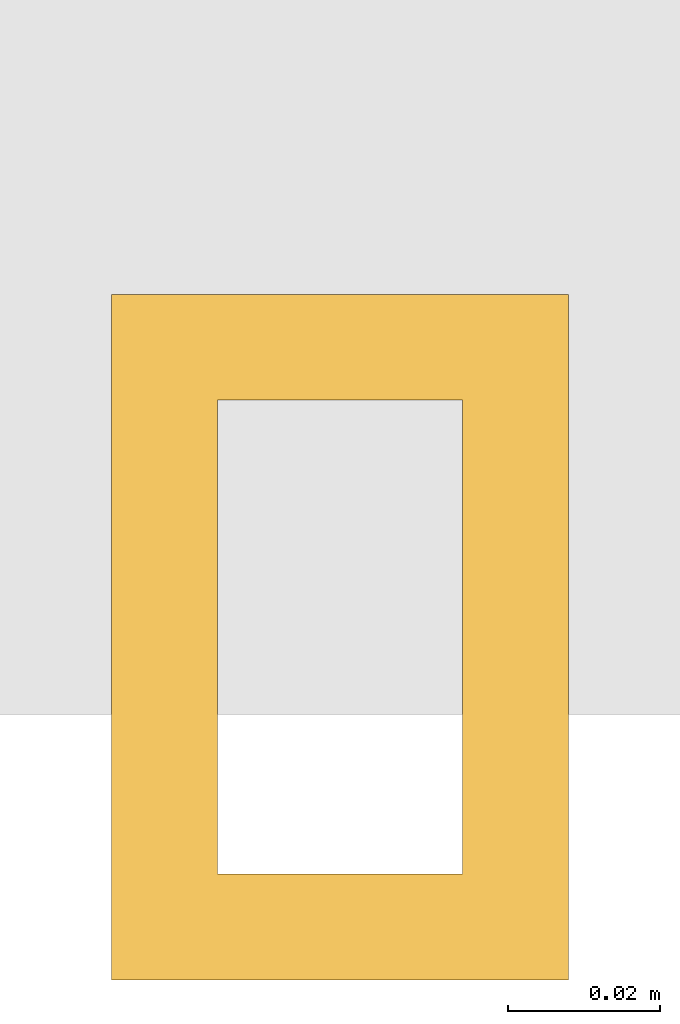
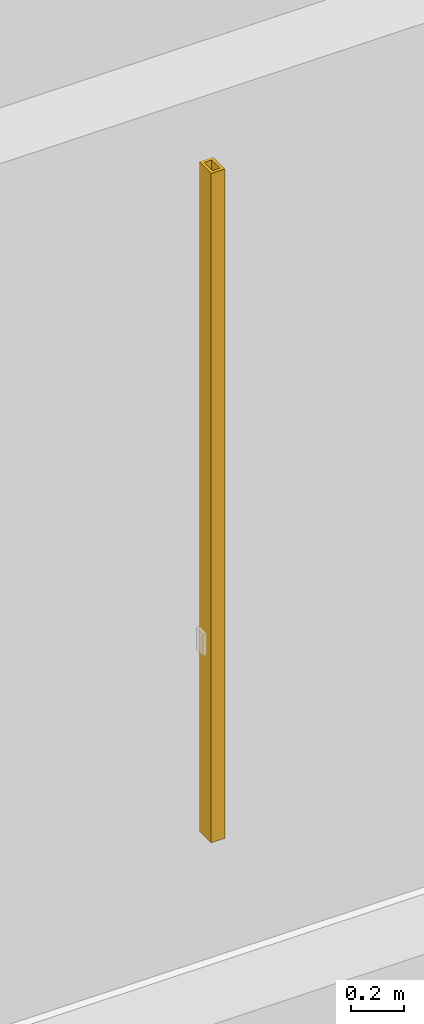
# One storey, part 18 of 31: 1 shading device.
"""IFC4 building model written with IfcOpenShell, lengths in metres."""

from ifc_helpers import new_model, si_unit, direction, frame, origin, origin_2d, place, context, subcontext, project, spatial, hollow_rectangle, extrude, material, material_profile, profile_set, type_object, element, save


model = new_model("IFC4")

# Units and contexts
model_context = context("Model", 3, precision=1e-05, world=origin(), true_north=direction((0.0, 1.0)))
body_context = subcontext(model_context, "Body", "Model", "MODEL_VIEW")
ifc_project = project(units=[si_unit("LENGTHUNIT", "METRE"), si_unit("AREAUNIT", "SQUARE_METRE"), si_unit("VOLUMEUNIT", "CUBIC_METRE"), si_unit("PLANEANGLEUNIT", "RADIAN"), si_unit("MASSUNIT", "GRAM", prefix="KILO")], contexts=[model_context])

# Site, building, storey
site_placement = place(None, origin())
site = spatial("IfcSite", under=ifc_project, at=site_placement, CompositionType="ELEMENT")
building_placement = place(site_placement, origin())
building = spatial("IfcBuilding", under=site, at=building_placement, Name="Punatoya Terracotta Tower", CompositionType="ELEMENT")
storey_placement = place(building_placement, frame((0.0, 0.0, 283.800048828125)))
storey = spatial("IfcBuildingStorey", under=building, at=storey_placement, Name="L67", CompositionType="ELEMENT", Elevation=283.800048828125)

# Shading device
ifc_material = material(Name="Architectural Fired Terracotta", Category="masonry")
ifc_material_profile = material_profile(ifc_material, hollow_rectangle(XDim=0.06005859375, YDim=0.090087890625, WallThickness=0.013916015625, at=origin_2d()))
ifc_profile_set = profile_set([ifc_material_profile], Name="Architectural Fired Terracotta")
shading_device_type = type_object("IfcShadingDeviceType", Name="SHD-JALI-90", PredefinedType="JALOUSIE", material=ifc_profile_set)
shading_device_placement = place(storey_placement, frame((-12.493408203125, -18.64990234375, 0.599853515625), z_axis=(0.0, 0.0, 1.0), x_axis=(1.0, 0.0, 0.0)))
element("IfcShadingDevice", 1, at=shading_device_placement, inside=storey, type_object=shading_device_type, Name="L67 Braced Bay Terracotta Jali Fin S1", PredefinedType="JALOUSIE", context=body_context, shape_type="SweptSolid", body=[
    extrude(hollow_rectangle(XDim=0.06005859375, YDim=0.090087890625, WallThickness=0.013916015625, at=origin_2d()), origin(), (0.0, 0.0, 1.0), 3.10009765625),
])

save(model, "model.ifc")
